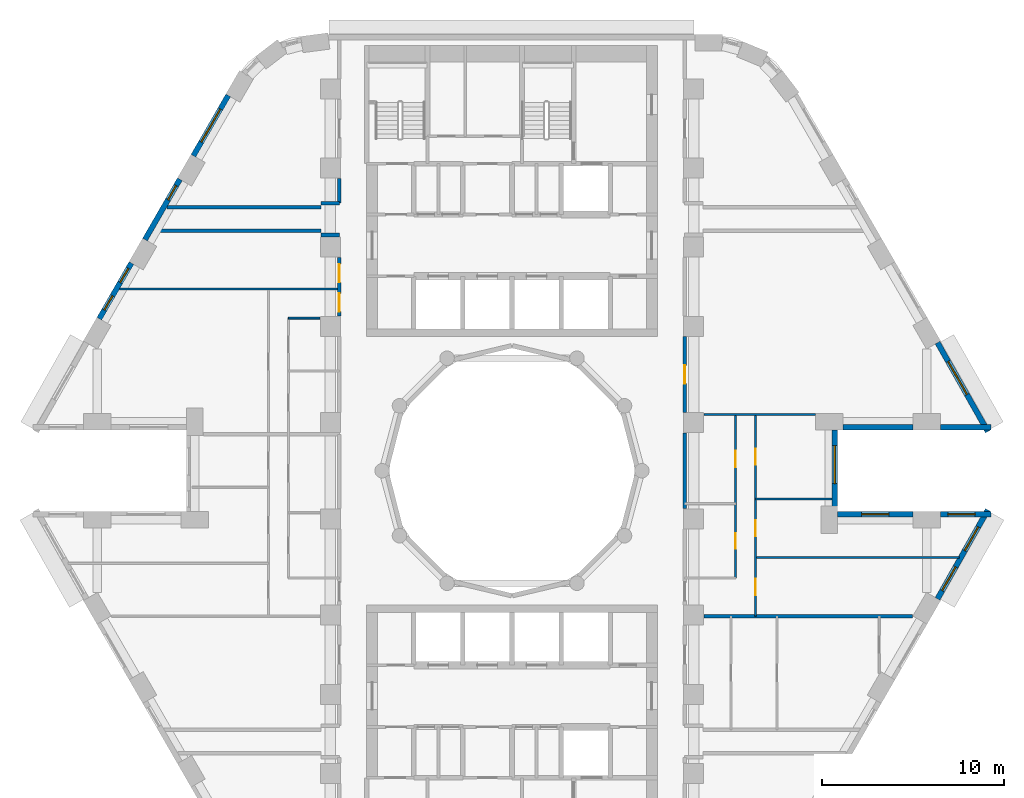
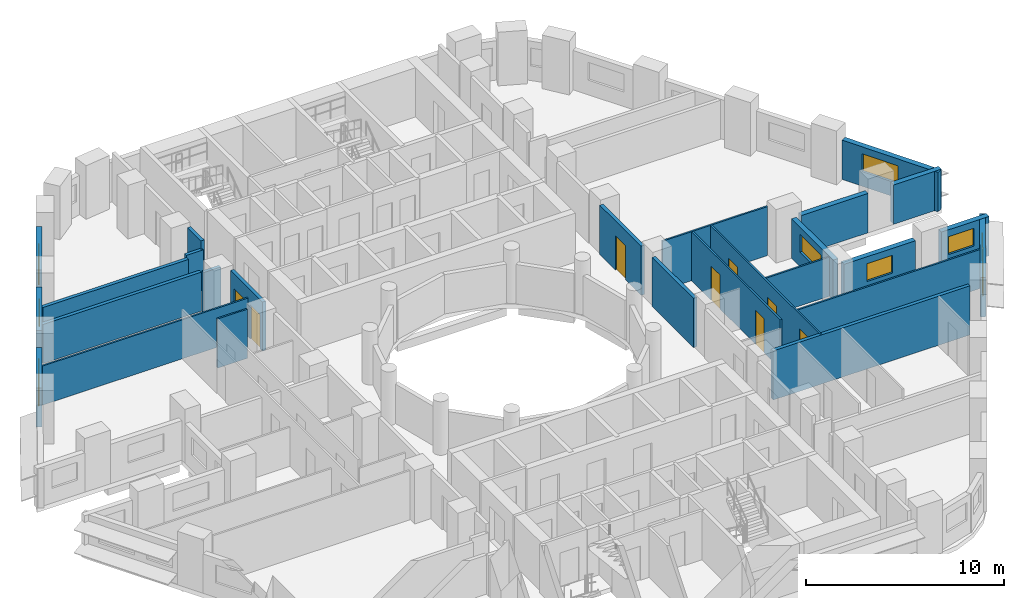
# One storey, part 6 of 12: 26 walls, 10 windows, 8 doors, 18 openings.
"""IFC4 building model written with IfcOpenShell, lengths in metres."""

from ifc_helpers import new_model, si_unit, direction, frame, frame_2d, origin, place, context, subcontext, project, spatial, rectangle, extrude, material, layer, layer_set, type_object, element, fill, save


model = new_model("IFC4")

# Units and contexts
model_context = context("Model", 3, precision=1e-05, world=origin(), true_north=direction((0.0, 1.0)))
body_context = subcontext(model_context, "Body", "Model", "MODEL_VIEW")
ifc_project = project(units=[si_unit("LENGTHUNIT", "METRE"), si_unit("AREAUNIT", "SQUARE_METRE"), si_unit("VOLUMEUNIT", "CUBIC_METRE"), si_unit("PLANEANGLEUNIT", "RADIAN"), si_unit("MASSUNIT", "GRAM", prefix="KILO")], contexts=[model_context])

# Site, building, storey
site_placement = place(None, origin())
site = spatial("IfcSite", under=ifc_project, at=site_placement, CompositionType="ELEMENT")
building_placement = place(site_placement, origin())
building = spatial("IfcBuilding", under=site, at=building_placement, Name="Nakaniwa Court", CompositionType="ELEMENT")
storey_placement = place(building_placement, frame((0.0, 0.0, 51.300048828125)))
storey = spatial("IfcBuildingStorey", under=building, at=storey_placement, Name="L13", CompositionType="ELEMENT", Elevation=51.300048828125)

# Wall
ifc_material_1 = material(Name="Acoustic double stud partition")
ifc_layer_1 = layer(ifc_material_1, 0.199951171875)
ifc_layer_set_1 = layer_set([ifc_layer_1], Name="Acoustic double stud partition")
wall_type_1 = type_object("IfcWallType", Name="Acoustic double stud partition 200", PredefinedType="PARTITIONING", material=ifc_layer_set_1)
wall_1_placement = place(storey_placement, frame((89.5, 77.9169921875, 0.0), z_axis=(0.0, 0.0, 1.0), x_axis=(0.0, 1.0, 0.0)))
element("IfcWall", 1, at=wall_1_placement, inside=storey, type_object=wall_type_1, Name="Partition PW-077", PredefinedType="PARTITIONING", context=body_context, shape_type="SweptSolid", body=[
    extrude(rectangle(XDim=4.166015625, YDim=0.199951171875, at=frame_2d((2.0830078125, 0.0))), origin(), (0.0, 0.0, 1.0), 3.02490234375),
])

# Wall, opening, door
wall_2_placement = place(storey_placement, frame((89.5, 87.383056640625, 0.0), z_axis=(0.0, 0.0, 1.0), x_axis=(0.0, -1.0, 0.0)))
wall_2 = element("IfcWall", 2, at=wall_2_placement, inside=storey, type_object=wall_type_1, Name="Partition PW-078", PredefinedType="PARTITIONING", context=body_context, shape_type="SweptSolid", body=[
    extrude(rectangle(XDim=4.166015625, YDim=0.199951171875, at=frame_2d((2.0830078125, 0.0))), origin(), (0.0, 0.0, 1.0), 3.02490234375),
])
opening_1_placement = place(wall_2_placement, frame((1.5830078125, 0.0, 0.0)))
opening_1 = element("IfcOpeningElement", 3, at=opening_1_placement, cuts=wall_2, Name="Opening D-02-01", PredefinedType="OPENING", context=body_context, shape_type="SweptSolid", body=[
    extrude(rectangle(XDim=1.0, YDim=2.10009765625, at=frame_2d((0.5, 1.050048828125))), frame((0.0, 0.10986328125, 0.0), z_axis=(0.0, -1.0, 0.0), x_axis=(1.0, 0.0, 0.0)), (0.0, 0.0, 1.0), 0.219970703125),
])
ifc_material_2 = material(Name="Solid core timber door set, black veneer", Category="wood")
door_type_1 = type_object("IfcDoorType", Name="Internal door 1000", OperationType="NOTDEFINED", PredefinedType="DOOR", material=ifc_material_2)
door_1_placement = place(opening_1_placement, origin())
door_1 = element("IfcDoor", 4, at=door_1_placement, inside=storey, type_object=door_type_1, Name="Door D-02-01 L13-039", OperationType="SINGLE_SWING_RIGHT", OverallHeight=2.10009765625, OverallWidth=1.0, PredefinedType="DOOR", context=body_context, shape_type="SweptSolid", body=[
    extrude(rectangle(XDim=1.0, YDim=2.10009765625, at=frame_2d((0.5, 1.050048828125))), frame((0.0, 0.02490234375, 0.0), z_axis=(0.0, -1.0, 0.0), x_axis=(1.0, 0.0, 0.0)), (0.0, 0.0, 1.0), 0.050048828125),
])
fill(opening_1, door_1)

# Walls
wall_3_placement = place(storey_placement, frame((60.254638671875, 93.199951171875, 0.0), z_axis=(0.0, 0.0, 1.0), x_axis=(1.0, 0.0, 0.0)))
element("IfcWall", 5, at=wall_3_placement, inside=storey, type_object=wall_type_1, Name="Partition PW-083", PredefinedType="PARTITIONING", context=body_context, shape_type="SweptSolid", body=[
    extrude(rectangle(XDim=9.245361328125, YDim=0.199951171875, at=frame_2d((4.62255859375, 0.0))), origin(), (0.0, 0.0, 1.0), 2.405029296875),
])
for number, where, z_axis, x_axis, name in (
    (6, (69.5, 92.97509765625, 0.0), (0.0, 0.0, 1.0), (1.0, 0.0, 0.0), "Partition PW-085"),
    (7, (69.5, 94.72509765625, 0.0), (0.0, 0.0, 1.0), (1.0, 0.0, 0.0), "Partition PW-087"),
):
    element("IfcWall", number, at=place(storey_placement, frame(where, z_axis=z_axis, x_axis=x_axis)), inside=storey, type_object=wall_type_1, Name=name, PredefinedType="PARTITIONING", context=body_context, shape_type="SweptSolid", body=[
        extrude(rectangle(XDim=1.0, YDim=0.199951171875, at=frame_2d((0.5, 0.0))), origin(), (0.0, 0.0, 1.0), 2.5048828125),
    ])
wall_4_placement = place(storey_placement, frame((61.005126953125, 94.5, 0.0), z_axis=(0.0, 0.0, 1.0), x_axis=(1.0, 0.0, 0.0)))
element("IfcWall", 8, at=wall_4_placement, inside=storey, type_object=wall_type_1, Name="Partition PW-089", PredefinedType="PARTITIONING", context=body_context, shape_type="SweptSolid", body=[
    extrude(rectangle(XDim=8.494873046875, YDim=0.199951171875, at=frame_2d((4.24755859375, 0.0))), origin(), (0.0, 0.0, 1.0), 2.405029296875),
])

# Wall, openings, doors
wall_5_placement = place(storey_placement, frame((70.5, 88.51708984375, 0.0), z_axis=(0.0, 0.0, 1.0), x_axis=(0.0, 1.0, 0.0)))
wall_5 = element("IfcWall", 9, at=wall_5_placement, inside=storey, type_object=wall_type_1, Name="Partition PW-107", PredefinedType="PARTITIONING", context=body_context, shape_type="SweptSolid", body=[
    extrude(rectangle(XDim=3.2158203125, YDim=0.199951171875, at=frame_2d((1.60791015625, 0.0))), origin(), (0.0, 0.0, 1.0), 3.02490234375),
])
opening_2_placement = place(wall_5_placement, frame((0.242919921875, 0.0, 0.0)))
opening_2 = element("IfcOpeningElement", 10, at=opening_2_placement, cuts=wall_5, Name="Opening D-01-04", PredefinedType="OPENING", context=body_context, shape_type="SweptSolid", body=[
    extrude(rectangle(XDim=1.0, YDim=2.10009765625, at=frame_2d((0.5, 1.050048828125))), frame((0.0, 0.10986328125, 0.0), z_axis=(0.0, -1.0, 0.0), x_axis=(1.0, 0.0, 0.0)), (0.0, 0.0, 1.0), 0.219970703125),
])
opening_3_placement = place(wall_5_placement, frame((1.847900390625, 0.0, 0.0)))
opening_3 = element("IfcOpeningElement", 11, at=opening_3_placement, cuts=wall_5, Name="Opening D-02-07", PredefinedType="OPENING", context=body_context, shape_type="SweptSolid", body=[
    extrude(rectangle(XDim=1.0, YDim=2.10009765625, at=frame_2d((0.5, 1.050048828125))), frame((0.0, 0.10986328125, 0.0), z_axis=(0.0, -1.0, 0.0), x_axis=(1.0, 0.0, 0.0)), (0.0, 0.0, 1.0), 0.219970703125),
])
door_type_2 = type_object("IfcDoorType", Name="Flat entrance door 1000", OperationType="NOTDEFINED", PredefinedType="DOOR", material=ifc_material_2)
door_2_placement = place(opening_2_placement, origin())
door_2 = element("IfcDoor", 12, at=door_2_placement, inside=storey, type_object=door_type_2, Name="Door D-01-04 L13-048", OperationType="SINGLE_SWING_LEFT", OverallHeight=2.10009765625, OverallWidth=1.0, PredefinedType="DOOR", context=body_context, shape_type="SweptSolid", body=[
    extrude(rectangle(XDim=1.0, YDim=2.10009765625, at=frame_2d((0.5, 1.050048828125))), frame((0.0, 0.02490234375, 0.0), z_axis=(0.0, -1.0, 0.0), x_axis=(1.0, 0.0, 0.0)), (0.0, 0.0, 1.0), 0.050048828125),
])
fill(opening_2, door_2)
door_3_placement = place(opening_3_placement, origin())
door_3 = element("IfcDoor", 13, at=door_3_placement, inside=storey, type_object=door_type_1, Name="Door D-02-07 L13-055", OperationType="SINGLE_SWING_RIGHT", OverallHeight=2.10009765625, OverallWidth=1.0, PredefinedType="DOOR", context=body_context, shape_type="SweptSolid", body=[
    extrude(rectangle(XDim=1.0, YDim=2.10009765625, at=frame_2d((0.5, 1.050048828125))), frame((0.0, 0.02490234375, 0.0), z_axis=(0.0, -1.0, 0.0), x_axis=(1.0, 0.0, 0.0)), (0.0, 0.0, 1.0), 0.050048828125),
])
fill(opening_3, door_3)

# Walls
wall_6_placement = place(storey_placement, frame((70.5, 94.721923828125, 0.0), z_axis=(0.0, 0.0, 1.0), x_axis=(0.0, 1.0, 0.0)))
element("IfcWall", 14, at=wall_6_placement, inside=storey, type_object=wall_type_1, Name="Partition PW-108", PredefinedType="PARTITIONING", context=body_context, shape_type="SweptSolid", body=[
    extrude(rectangle(XDim=1.361083984375, YDim=0.199951171875, at=frame_2d((0.6806640625, 0.0))), origin(), (0.0, 0.0, 1.0), 3.02490234375),
])
wall_7_placement = place(storey_placement, frame((90.570068359375, 72.0, 0.0), z_axis=(0.0, 0.0, 1.0), x_axis=(1.0, 0.0, 0.0)))
element("IfcWall", 15, at=wall_7_placement, inside=storey, type_object=wall_type_1, Name="Partition PW-112", PredefinedType="PARTITIONING", context=body_context, shape_type="SweptSolid", body=[
    extrude(rectangle(XDim=11.461669921875, YDim=0.199951171875, at=frame_2d((5.73095703125, 0.0))), origin(), (0.0, 0.0, 1.0), 3.02490234375),
])
ifc_material_3 = material(Name="Charcoal ceramic cladding")
ifc_layer_2 = layer(ifc_material_3, 0.02, Name="Ceramic cladding")
ifc_material_4 = material(Name="Ventilated air cavity")
ifc_layer_3 = layer(ifc_material_4, 0.04, ventilated=True, Name="Ventilated cavity")
ifc_material_5 = material(Name="Mineral wool insulation")
ifc_layer_4 = layer(ifc_material_5, 0.1, Name="Insulation")
ifc_material_6 = material(Name="Cement bonded sheathing board")
ifc_layer_5 = layer(ifc_material_6, 0.012, Name="Sheathing")
ifc_material_7 = material(Name="Cold-formed galvanised stud frame with mineral wool infill")
ifc_layer_6 = layer(ifc_material_7, 0.1, Name="Stud frame")
ifc_material_8 = material(Name="Fire-rated gypsum plasterboard lining")
ifc_layer_7 = layer(ifc_material_8, 0.028, Name="Lining")
ifc_layer_set_2 = layer_set([ifc_layer_2, ifc_layer_3, ifc_layer_4, ifc_layer_5, ifc_layer_6, ifc_layer_7], Name="Charcoal ceramic faced external wall system")
wall_type_2 = type_object("IfcWallType", Name="Black ceramic faced external wall 300", PredefinedType="SOLIDWALL", material=ifc_layer_set_2)
wall_8_placement = place(storey_placement, frame((98.204345703125, 82.39990234375, 0.0), z_axis=(0.0, 0.0, 1.0), x_axis=(1.0, 0.0, 0.0)))
element("IfcWall", 16, at=wall_8_placement, inside=storey, type_object=wall_type_2, Name="L13 external wall 00", PredefinedType="SOLIDWALL", context=body_context, shape_type="SweptSolid", body=[
    extrude(rectangle(XDim=3.87255859375, YDim=0.300048828125, at=frame_2d((1.936279296875, 0.0))), origin(), (0.0, 0.0, 1.0), 2.425048828125),
])
wall_9_placement = place(storey_placement, frame((103.56884765625, 82.39990234375, 0.0), z_axis=(0.0, 0.0, 1.0), x_axis=(1.0, 0.0, 0.0)))
element("IfcWall", 17, at=wall_9_placement, inside=storey, type_object=wall_type_2, Name="L13 external wall 01", PredefinedType="SOLIDWALL", context=body_context, shape_type="SweptSolid", body=[
    extrude(rectangle(XDim=2.787841796875, YDim=0.300048828125, at=frame_2d((1.39404296875, 0.0))), origin(), (0.0, 0.0, 1.0), 2.425048828125),
])

# Wall, opening, window
wall_10_placement = place(storey_placement, frame((106.18603515625, 82.1533203125, 0.0), z_axis=(0.0, 0.0, 1.0), x_axis=(-0.492363204642, 0.870389840655, 0.0)))
wall_10 = element("IfcWall", 18, at=wall_10_placement, inside=storey, type_object=wall_type_2, Name="L13 external wall 02", PredefinedType="SOLIDWALL", context=body_context, shape_type="SweptSolid", body=[
    extrude(rectangle(XDim=5.62646484375, YDim=0.300048828125, at=frame_2d((2.813232421875, 0.0))), origin(), (0.0, 0.0, 1.0), 2.425048828125),
])
opening_4_placement = place(wall_10_placement, frame((2.34228515625, 0.0, 0.89990234375)))
opening_4 = element("IfcOpeningElement", 19, at=opening_4_placement, cuts=wall_10, Name="Opening W7.01", PredefinedType="OPENING", context=body_context, shape_type="SweptSolid", body=[
    extrude(rectangle(XDim=2.10009765625, YDim=1.10009765625, at=frame_2d((1.050048828125, 0.550048828125))), frame((0.0, 0.159912109375, 0.0), z_axis=(0.0, -1.0, 0.0), x_axis=(1.0, 0.0, 0.0)), (0.0, 0.0, 1.0), 0.320068359375),
])
ifc_material_9 = material(Name="Black anodised aluminium frame with dark low-E laminated double glazing", Category="aluminium")
window_type_1 = type_object("IfcWindowType", Name="Dark glass window 2100x1100 sill 900", PartitioningType="SINGLE_PANEL", PredefinedType="WINDOW", material=ifc_material_9)
window_1_placement = place(opening_4_placement, origin())
window_1 = element("IfcWindow", 20, at=window_1_placement, inside=storey, type_object=window_type_1, Name="L13 habitable room window 02-0", OverallHeight=1.10009765625, OverallWidth=2.10009765625, PartitioningType="SINGLE_PANEL", PredefinedType="WINDOW", context=body_context, shape_type="SweptSolid", body=[
    extrude(rectangle(XDim=2.10009765625, YDim=1.10009765625, at=frame_2d((1.050048828125, 0.550048828125))), frame((0.0, 0.030029296875, 0.0), z_axis=(0.0, -1.0, 0.0), x_axis=(1.0, 0.0, 0.0)), (0.0, 0.0, 1.0), 0.06005859375),
])
fill(opening_4, window_1)

wall_11_placement = place(storey_placement, frame((64.384765625, 100.653564453125, 0.0), z_axis=(0.0, 0.0, 1.0), x_axis=(-0.499974163209, -0.866040320149, 0.0)))
wall_11 = element("IfcWall", 21, at=wall_11_placement, inside=storey, type_object=wall_type_2, Name="L13 external wall 11", PredefinedType="SOLIDWALL", context=body_context, shape_type="SweptSolid", body=[
    extrude(rectangle(XDim=3.834228515625, YDim=0.300048828125, at=frame_2d((1.9169921875, 0.0))), origin(), (0.0, 0.0, 1.0), 2.425048828125),
])
opening_5_placement = place(wall_11_placement, frame((0.8671875, 0.0, 0.89990234375)))
opening_5 = element("IfcOpeningElement", 22, at=opening_5_placement, cuts=wall_11, Name="Opening W7.09", PredefinedType="OPENING", context=body_context, shape_type="SweptSolid", body=[
    extrude(rectangle(XDim=2.10009765625, YDim=1.10009765625, at=frame_2d((1.050048828125, 0.550048828125))), frame((0.0, 0.159912109375, 0.0), z_axis=(0.0, -1.0, 0.0), x_axis=(1.0, 0.0, 0.0)), (0.0, 0.0, 1.0), 0.320068359375),
])
window_2_placement = place(opening_5_placement, origin())
window_2 = element("IfcWindow", 23, at=window_2_placement, inside=storey, type_object=window_type_1, Name="L13 habitable room window 11-0", OverallHeight=1.10009765625, OverallWidth=2.10009765625, PartitioningType="SINGLE_PANEL", PredefinedType="WINDOW", context=body_context, shape_type="SweptSolid", body=[
    extrude(rectangle(XDim=2.10009765625, YDim=1.10009765625, at=frame_2d((1.050048828125, 0.550048828125))), frame((0.0, 0.030029296875, 0.0), z_axis=(0.0, -1.0, 0.0), x_axis=(1.0, 0.0, 0.0)), (0.0, 0.0, 1.0), 0.06005859375),
])
fill(opening_5, window_2)

wall_12_placement = place(storey_placement, frame((61.7216796875, 96.041015625, 0.0), z_axis=(0.0, 0.0, 1.0), x_axis=(-0.500001735503, -0.866024401789, 0.0)))
wall_12 = element("IfcWall", 24, at=wall_12_placement, inside=storey, type_object=wall_type_2, Name="L13 external wall 12", PredefinedType="SOLIDWALL", context=body_context, shape_type="SweptSolid", body=[
    extrude(rectangle(XDim=3.833984375, YDim=0.300048828125, at=frame_2d((1.9169921875, 0.0))), origin(), (0.0, 0.0, 1.0), 2.425048828125),
])
opening_6_placement = place(wall_12_placement, frame((0.402587890625, 0.0, 0.89990234375)))
opening_6 = element("IfcOpeningElement", 25, at=opening_6_placement, cuts=wall_12, Name="Opening W9.10", PredefinedType="OPENING", context=body_context, shape_type="SweptSolid", body=[
    extrude(rectangle(XDim=0.89990234375, YDim=1.10009765625, at=frame_2d((0.449951171875, 0.550048828125))), frame((0.0, 0.159912109375, 0.0), z_axis=(0.0, -1.0, 0.0), x_axis=(1.0, 0.0, 0.0)), (0.0, 0.0, 1.0), 0.320068359375),
])
window_type_2 = type_object("IfcWindowType", Name="Dark glass window 900x1100 sill 900", PartitioningType="SINGLE_PANEL", PredefinedType="WINDOW", material=ifc_material_9)
window_3_placement = place(opening_6_placement, origin())
window_3 = element("IfcWindow", 26, at=window_3_placement, inside=storey, type_object=window_type_2, Name="L13 habitable room window 12-0", OverallHeight=1.10009765625, OverallWidth=0.89990234375, PartitioningType="SINGLE_PANEL", PredefinedType="WINDOW", context=body_context, shape_type="SweptSolid", body=[
    extrude(rectangle(XDim=0.89990234375, YDim=1.10009765625, at=frame_2d((0.449951171875, 0.550048828125))), frame((0.0, 0.030029296875, 0.0), z_axis=(0.0, -1.0, 0.0), x_axis=(1.0, 0.0, 0.0)), (0.0, 0.0, 1.0), 0.06005859375),
])
fill(opening_6, window_3)

# Wall, openings, windows
wall_13_placement = place(storey_placement, frame((59.05859375, 91.4287109375, 0.0), z_axis=(0.0, 0.0, 1.0), x_axis=(-0.499977402622, -0.866038449993, 0.0)))
wall_13 = element("IfcWall", 27, at=wall_13_placement, inside=storey, type_object=wall_type_2, Name="L13 external wall 13", PredefinedType="SOLIDWALL", context=body_context, shape_type="SweptSolid", body=[
    extrude(rectangle(XDim=3.536865234375, YDim=0.300048828125, at=frame_2d((1.7685546875, 0.0))), origin(), (0.0, 0.0, 1.0), 2.425048828125),
])
opening_7_placement = place(wall_13_placement, frame((0.337890625, 0.0, 0.89990234375)))
opening_7 = element("IfcOpeningElement", 28, at=opening_7_placement, cuts=wall_13, Name="Opening W9.11", PredefinedType="OPENING", context=body_context, shape_type="SweptSolid", body=[
    extrude(rectangle(XDim=0.89990234375, YDim=1.10009765625, at=frame_2d((0.449951171875, 0.550048828125))), frame((0.0, 0.159912109375, 0.0), z_axis=(0.0, -1.0, 0.0), x_axis=(1.0, 0.0, 0.0)), (0.0, 0.0, 1.0), 0.320068359375),
])
opening_8_placement = place(wall_13_placement, frame((2.082275390625, 0.0, 0.89990234375)))
opening_8 = element("IfcOpeningElement", 29, at=opening_8_placement, cuts=wall_13, Name="Opening W9.12", PredefinedType="OPENING", context=body_context, shape_type="SweptSolid", body=[
    extrude(rectangle(XDim=0.89990234375, YDim=1.10009765625, at=frame_2d((0.449951171875, 0.550048828125))), frame((0.0, 0.159912109375, 0.0), z_axis=(0.0, -1.0, 0.0), x_axis=(1.0, 0.0, 0.0)), (0.0, 0.0, 1.0), 0.320068359375),
])
window_4_placement = place(opening_7_placement, origin())
window_4 = element("IfcWindow", 30, at=window_4_placement, inside=storey, type_object=window_type_2, Name="L13 habitable room window 13-0", OverallHeight=1.10009765625, OverallWidth=0.89990234375, PartitioningType="SINGLE_PANEL", PredefinedType="WINDOW", context=body_context, shape_type="SweptSolid", body=[
    extrude(rectangle(XDim=0.89990234375, YDim=1.10009765625, at=frame_2d((0.449951171875, 0.550048828125))), frame((0.0, 0.030029296875, 0.0), z_axis=(0.0, -1.0, 0.0), x_axis=(1.0, 0.0, 0.0)), (0.0, 0.0, 1.0), 0.06005859375),
])
fill(opening_7, window_4)
window_5_placement = place(opening_8_placement, origin())
window_5 = element("IfcWindow", 31, at=window_5_placement, inside=storey, type_object=window_type_2, Name="L13 living window 13-1", OverallHeight=1.10009765625, OverallWidth=0.89990234375, PartitioningType="SINGLE_PANEL", PredefinedType="WINDOW", context=body_context, shape_type="SweptSolid", body=[
    extrude(rectangle(XDim=0.89990234375, YDim=1.10009765625, at=frame_2d((0.449951171875, 0.550048828125))), frame((0.0, 0.030029296875, 0.0), z_axis=(0.0, -1.0, 0.0), x_axis=(1.0, 0.0, 0.0)), (0.0, 0.0, 1.0), 0.06005859375),
])
fill(opening_8, window_5)

wall_14_placement = place(storey_placement, frame((103.415771484375, 72.949462890625, 0.0), z_axis=(0.0, 0.0, 1.0), x_axis=(0.492363204642, 0.870389840655, 0.0)))
wall_14 = element("IfcWall", 32, at=wall_14_placement, inside=storey, type_object=wall_type_2, Name="L13 external wall 32", PredefinedType="SOLIDWALL", context=body_context, shape_type="SweptSolid", body=[
    extrude(rectangle(XDim=5.62646484375, YDim=0.300048828125, at=frame_2d((2.813232421875, 0.0))), origin(), (0.0, 0.0, 1.0), 2.425048828125),
])
opening_9_placement = place(wall_14_placement, frame((0.5205078125, 0.0, 0.89990234375)))
opening_9 = element("IfcOpeningElement", 33, at=opening_9_placement, cuts=wall_14, Name="Opening W5.32", PredefinedType="OPENING", context=body_context, shape_type="SweptSolid", body=[
    extrude(rectangle(XDim=1.5, YDim=1.10009765625, at=frame_2d((0.75, 0.550048828125))), frame((0.0, 0.159912109375, 0.0), z_axis=(0.0, -1.0, 0.0), x_axis=(1.0, 0.0, 0.0)), (0.0, 0.0, 1.0), 0.320068359375),
])
opening_10_placement = place(wall_14_placement, frame((3.044921875, 0.0, 0.89990234375)))
opening_10 = element("IfcOpeningElement", 34, at=opening_10_placement, cuts=wall_14, Name="Opening W5.33", PredefinedType="OPENING", context=body_context, shape_type="SweptSolid", body=[
    extrude(rectangle(XDim=1.5, YDim=1.10009765625, at=frame_2d((0.75, 0.550048828125))), frame((0.0, 0.159912109375, 0.0), z_axis=(0.0, -1.0, 0.0), x_axis=(1.0, 0.0, 0.0)), (0.0, 0.0, 1.0), 0.320068359375),
])
window_type_3 = type_object("IfcWindowType", Name="Dark glass window 1500x1100 sill 900", PartitioningType="SINGLE_PANEL", PredefinedType="WINDOW", material=ifc_material_9)
window_6_placement = place(opening_9_placement, origin())
window_6 = element("IfcWindow", 35, at=window_6_placement, inside=storey, type_object=window_type_3, Name="L13 bedroom window 32-0", OverallHeight=1.10009765625, OverallWidth=1.5, PartitioningType="SINGLE_PANEL", PredefinedType="WINDOW", context=body_context, shape_type="SweptSolid", body=[
    extrude(rectangle(XDim=1.5, YDim=1.10009765625, at=frame_2d((0.75, 0.550048828125))), frame((0.0, 0.030029296875, 0.0), z_axis=(0.0, -1.0, 0.0), x_axis=(1.0, 0.0, 0.0)), (0.0, 0.0, 1.0), 0.06005859375),
])
fill(opening_9, window_6)
window_7_placement = place(opening_10_placement, origin())
window_7 = element("IfcWindow", 36, at=window_7_placement, inside=storey, type_object=window_type_3, Name="L13 bedroom window 32-1", OverallHeight=1.10009765625, OverallWidth=1.5, PartitioningType="SINGLE_PANEL", PredefinedType="WINDOW", context=body_context, shape_type="SweptSolid", body=[
    extrude(rectangle(XDim=1.5, YDim=1.10009765625, at=frame_2d((0.75, 0.550048828125))), frame((0.0, 0.030029296875, 0.0), z_axis=(0.0, -1.0, 0.0), x_axis=(1.0, 0.0, 0.0)), (0.0, 0.0, 1.0), 0.06005859375),
])
fill(opening_10, window_7)

# Wall, opening, window
wall_15_placement = place(storey_placement, frame((106.356689453125, 77.60009765625, 0.0), z_axis=(0.0, 0.0, 1.0), x_axis=(-1.0, 0.0, 0.0)))
wall_15 = element("IfcWall", 37, at=wall_15_placement, inside=storey, type_object=wall_type_2, Name="L13 external wall 33", PredefinedType="SOLIDWALL", context=body_context, shape_type="SweptSolid", body=[
    extrude(rectangle(XDim=2.787841796875, YDim=0.300048828125, at=frame_2d((1.39404296875, 0.0))), origin(), (0.0, 0.0, 1.0), 2.425048828125),
])
opening_11_placement = place(wall_15_placement, frame((0.868896484375, 0.0, 0.89990234375)))
opening_11 = element("IfcOpeningElement", 38, at=opening_11_placement, cuts=wall_15, Name="Opening W5.34", PredefinedType="OPENING", context=body_context, shape_type="SweptSolid", body=[
    extrude(rectangle(XDim=1.5, YDim=1.10009765625, at=frame_2d((0.75, 0.550048828125))), frame((0.0, 0.159912109375, 0.0), z_axis=(0.0, -1.0, 0.0), x_axis=(1.0, 0.0, 0.0)), (0.0, 0.0, 1.0), 0.320068359375),
])
window_8_placement = place(opening_11_placement, origin())
window_8 = element("IfcWindow", 39, at=window_8_placement, inside=storey, type_object=window_type_3, Name="L13 bedroom window 33-0", OverallHeight=1.10009765625, OverallWidth=1.5, PartitioningType="SINGLE_PANEL", PredefinedType="WINDOW", context=body_context, shape_type="SweptSolid", body=[
    extrude(rectangle(XDim=1.5, YDim=1.10009765625, at=frame_2d((0.75, 0.550048828125))), frame((0.0, 0.030029296875, 0.0), z_axis=(0.0, -1.0, 0.0), x_axis=(1.0, 0.0, 0.0)), (0.0, 0.0, 1.0), 0.06005859375),
])
fill(opening_11, window_8)

wall_16_placement = place(storey_placement, frame((102.076904296875, 77.60009765625, 0.0), z_axis=(0.0, 0.0, 1.0), x_axis=(-1.0, 0.0, 0.0)))
wall_16 = element("IfcWall", 40, at=wall_16_placement, inside=storey, type_object=wall_type_2, Name="L13 external wall 34", PredefinedType="SOLIDWALL", context=body_context, shape_type="SweptSolid", body=[
    extrude(rectangle(XDim=4.172607421875, YDim=0.300048828125, at=frame_2d((2.08642578125, 0.0))), origin(), (0.0, 0.0, 1.0), 2.425048828125),
])
opening_12_placement = place(wall_16_placement, frame((1.336181640625, 0.0, 0.89990234375)))
opening_12 = element("IfcOpeningElement", 41, at=opening_12_placement, cuts=wall_16, Name="Opening W5.35", PredefinedType="OPENING", context=body_context, shape_type="SweptSolid", body=[
    extrude(rectangle(XDim=1.5, YDim=1.10009765625, at=frame_2d((0.75, 0.550048828125))), frame((0.0, 0.159912109375, 0.0), z_axis=(0.0, -1.0, 0.0), x_axis=(1.0, 0.0, 0.0)), (0.0, 0.0, 1.0), 0.320068359375),
])
window_9_placement = place(opening_12_placement, origin())
window_9 = element("IfcWindow", 42, at=window_9_placement, inside=storey, type_object=window_type_3, Name="L13 bedroom window 34-0", OverallHeight=1.10009765625, OverallWidth=1.5, PartitioningType="SINGLE_PANEL", PredefinedType="WINDOW", context=body_context, shape_type="SweptSolid", body=[
    extrude(rectangle(XDim=1.5, YDim=1.10009765625, at=frame_2d((0.75, 0.550048828125))), frame((0.0, 0.030029296875, 0.0), z_axis=(0.0, -1.0, 0.0), x_axis=(1.0, 0.0, 0.0)), (0.0, 0.0, 1.0), 0.06005859375),
])
fill(opening_12, window_9)

wall_17_placement = place(storey_placement, frame((97.75830078125, 78.0458984375, 0.0), z_axis=(0.0, 0.0, 1.0), x_axis=(0.0, 1.0, 0.0)))
wall_17 = element("IfcWall", 43, at=wall_17_placement, inside=storey, type_object=wall_type_2, Name="L13 external wall 35", PredefinedType="SOLIDWALL", context=body_context, shape_type="SweptSolid", body=[
    extrude(rectangle(XDim=4.2080078125, YDim=0.300048828125, at=frame_2d((2.10400390625, 0.0))), origin(), (0.0, 0.0, 1.0), 2.425048828125),
])
opening_13_placement = place(wall_17_placement, frame((1.24169921875, 0.0, 0.89990234375)))
opening_13 = element("IfcOpeningElement", 44, at=opening_13_placement, cuts=wall_17, Name="Opening W7.36", PredefinedType="OPENING", context=body_context, shape_type="SweptSolid", body=[
    extrude(rectangle(XDim=2.10009765625, YDim=1.10009765625, at=frame_2d((1.050048828125, 0.550048828125))), frame((0.0, 0.159912109375, 0.0), z_axis=(0.0, -1.0, 0.0), x_axis=(1.0, 0.0, 0.0)), (0.0, 0.0, 1.0), 0.320068359375),
])
window_10_placement = place(opening_13_placement, origin())
window_10 = element("IfcWindow", 45, at=window_10_placement, inside=storey, type_object=window_type_1, Name="L13 living window 35-1", OverallHeight=1.10009765625, OverallWidth=2.10009765625, PartitioningType="SINGLE_PANEL", PredefinedType="WINDOW", context=body_context, shape_type="SweptSolid", body=[
    extrude(rectangle(XDim=2.10009765625, YDim=1.10009765625, at=frame_2d((1.050048828125, 0.550048828125))), frame((0.0, 0.030029296875, 0.0), z_axis=(0.0, -1.0, 0.0), x_axis=(1.0, 0.0, 0.0)), (0.0, 0.0, 1.0), 0.06005859375),
])
fill(opening_13, window_10)

# Wall, openings, doors
ifc_material_10 = material(Name="Single stud plasterboard partition")
ifc_layer_8 = layer(ifc_material_10, 0.10009765625)
ifc_layer_set_3 = layer_set([ifc_layer_8], Name="Single stud plasterboard partition")
wall_type_3 = type_object("IfcWallType", Name="Single stud plasterboard partition 100", PredefinedType="PARTITIONING", material=ifc_layer_set_3)
wall_18_placement = place(storey_placement, frame((92.300048828125, 74.10009765625, 0.0), z_axis=(0.0, 0.0, 1.0), x_axis=(0.0, 1.0, 0.0)))
wall_18 = element("IfcWall", 46, at=wall_18_placement, inside=storey, type_object=wall_type_3, Name="Partition PW-118", PredefinedType="PARTITIONING", context=body_context, shape_type="SweptSolid", body=[
    extrude(rectangle(XDim=9.0, YDim=0.10009765625, at=frame_2d((4.5, 0.0))), origin(), (0.0, 0.0, 1.0), 3.02490234375),
])
opening_14_placement = place(wall_18_placement, frame((1.6201171875, 0.0, 0.0)))
opening_14 = element("IfcOpeningElement", 47, at=opening_14_placement, cuts=wall_18, Name="Opening D-03-02", PredefinedType="OPENING", context=body_context, shape_type="SweptSolid", body=[
    extrude(rectangle(XDim=0.85009765625, YDim=2.10009765625, at=frame_2d((0.425048828125, 1.050048828125))), frame((0.0, 0.06005859375, 0.0), z_axis=(0.0, -1.0, 0.0), x_axis=(1.0, 0.0, 0.0)), (0.0, 0.0, 1.0), 0.1201171875),
])
opening_15_placement = place(wall_18_placement, frame((6.094970703125, 0.0, 0.0)))
opening_15 = element("IfcOpeningElement", 48, at=opening_15_placement, cuts=wall_18, Name="Opening D-33-03", PredefinedType="OPENING", context=body_context, shape_type="SweptSolid", body=[
    extrude(rectangle(XDim=0.89990234375, YDim=2.10009765625, at=frame_2d((0.449951171875, 1.050048828125))), frame((0.0, 0.06005859375, 0.0), z_axis=(0.0, -1.0, 0.0), x_axis=(1.0, 0.0, 0.0)), (0.0, 0.0, 1.0), 0.1201171875),
])
ifc_material_11 = material(Name="Moisture sealed timber door set", Category="wood")
door_type_3 = type_object("IfcDoorType", Name="Bathroom door 850", OperationType="NOTDEFINED", PredefinedType="DOOR", material=ifc_material_11)
door_4_placement = place(opening_14_placement, origin())
door_4 = element("IfcDoor", 49, at=door_4_placement, inside=storey, type_object=door_type_3, Name="Door D-03-02 L13-034", OperationType="SINGLE_SWING_LEFT", OverallHeight=2.10009765625, OverallWidth=0.85009765625, PredefinedType="DOOR", context=body_context, shape_type="SweptSolid", body=[
    extrude(rectangle(XDim=0.85009765625, YDim=2.10009765625, at=frame_2d((0.425048828125, 1.050048828125))), frame((0.0, 0.02490234375, 0.0), z_axis=(0.0, -1.0, 0.0), x_axis=(1.0, 0.0, 0.0)), (0.0, 0.0, 1.0), 0.050048828125),
])
fill(opening_14, door_4)
door_type_4 = type_object("IfcDoorType", Name="Internal door 900", OperationType="NOTDEFINED", PredefinedType="DOOR", material=ifc_material_2)
door_5_placement = place(opening_15_placement, origin())
door_5 = element("IfcDoor", 50, at=door_5_placement, inside=storey, type_object=door_type_4, Name="Door D-33-03 L13-035", OperationType="SINGLE_SWING_RIGHT", OverallHeight=2.10009765625, OverallWidth=0.89990234375, PredefinedType="DOOR", context=body_context, shape_type="SweptSolid", body=[
    extrude(rectangle(XDim=0.89990234375, YDim=2.10009765625, at=frame_2d((0.449951171875, 1.050048828125))), frame((0.0, 0.02490234375, 0.0), z_axis=(0.0, -1.0, 0.0), x_axis=(1.0, 0.0, 0.0)), (0.0, 0.0, 1.0), 0.050048828125),
])
fill(opening_15, door_5)

# Wall
wall_19_placement = place(storey_placement, frame((90.570068359375, 83.10009765625, 0.0), z_axis=(0.0, 0.0, 1.0), x_axis=(1.0, 0.0, 0.0)))
element("IfcWall", 51, at=wall_19_placement, inside=storey, type_object=wall_type_3, Name="Partition PW-119", PredefinedType="PARTITIONING", context=body_context, shape_type="SweptSolid", body=[
    extrude(rectangle(XDim=6.118408203125, YDim=0.10009765625, at=frame_2d((3.05908203125, 0.0))), origin(), (0.0, 0.0, 1.0), 3.02490234375),
])

# Wall, openings, doors
wall_20_placement = place(storey_placement, frame((93.39990234375, 83.10009765625, 0.0), z_axis=(0.0, 0.0, 1.0), x_axis=(0.0, -1.0, 0.0)))
wall_20 = element("IfcWall", 52, at=wall_20_placement, inside=storey, type_object=wall_type_3, Name="Partition PW-120", PredefinedType="PARTITIONING", context=body_context, shape_type="SweptSolid", body=[
    extrude(rectangle(XDim=11.10009765625, YDim=0.10009765625, at=frame_2d((5.550048828125, 0.0))), origin(), (0.0, 0.0, 1.0), 3.02490234375),
])
opening_16_placement = place(wall_20_placement, frame((9.0390625, 0.0, 0.0)))
opening_16 = element("IfcOpeningElement", 53, at=opening_16_placement, cuts=wall_20, Name="Opening D-33-04", PredefinedType="OPENING", context=body_context, shape_type="SweptSolid", body=[
    extrude(rectangle(XDim=0.89990234375, YDim=2.10009765625, at=frame_2d((0.449951171875, 1.050048828125))), frame((0.0, 0.06005859375, 0.0), z_axis=(0.0, -1.0, 0.0), x_axis=(1.0, 0.0, 0.0)), (0.0, 0.0, 1.0), 0.1201171875),
])
opening_17_placement = place(wall_20_placement, frame((5.81591796875, 0.0, 0.0)))
opening_17 = element("IfcOpeningElement", 54, at=opening_17_placement, cuts=wall_20, Name="Opening D-33-05", PredefinedType="OPENING", context=body_context, shape_type="SweptSolid", body=[
    extrude(rectangle(XDim=0.89990234375, YDim=2.10009765625, at=frame_2d((0.449951171875, 1.050048828125))), frame((0.0, 0.06005859375, 0.0), z_axis=(0.0, -1.0, 0.0), x_axis=(1.0, 0.0, 0.0)), (0.0, 0.0, 1.0), 0.1201171875),
])
opening_18_placement = place(wall_20_placement, frame((1.876953125, 0.0, 0.0)))
opening_18 = element("IfcOpeningElement", 55, at=opening_18_placement, cuts=wall_20, Name="Opening D-33-06", PredefinedType="OPENING", context=body_context, shape_type="SweptSolid", body=[
    extrude(rectangle(XDim=0.89990234375, YDim=2.10009765625, at=frame_2d((0.449951171875, 1.050048828125))), frame((0.0, 0.06005859375, 0.0), z_axis=(0.0, -1.0, 0.0), x_axis=(1.0, 0.0, 0.0)), (0.0, 0.0, 1.0), 0.1201171875),
])
door_6_placement = place(opening_16_placement, origin())
door_6 = element("IfcDoor", 56, at=door_6_placement, inside=storey, type_object=door_type_4, Name="Door D-33-04 L13-036", OperationType="SINGLE_SWING_LEFT", OverallHeight=2.10009765625, OverallWidth=0.89990234375, PredefinedType="DOOR", context=body_context, shape_type="SweptSolid", body=[
    extrude(rectangle(XDim=0.89990234375, YDim=2.10009765625, at=frame_2d((0.449951171875, 1.050048828125))), frame((0.0, 0.02490234375, 0.0), z_axis=(0.0, -1.0, 0.0), x_axis=(1.0, 0.0, 0.0)), (0.0, 0.0, 1.0), 0.050048828125),
])
fill(opening_16, door_6)
door_7_placement = place(opening_17_placement, origin())
door_7 = element("IfcDoor", 57, at=door_7_placement, inside=storey, type_object=door_type_4, Name="Door D-33-05 L13-037", OperationType="SINGLE_SWING_RIGHT", OverallHeight=2.10009765625, OverallWidth=0.89990234375, PredefinedType="DOOR", context=body_context, shape_type="SweptSolid", body=[
    extrude(rectangle(XDim=0.89990234375, YDim=2.10009765625, at=frame_2d((0.449951171875, 1.050048828125))), frame((0.0, 0.02490234375, 0.0), z_axis=(0.0, -1.0, 0.0), x_axis=(1.0, 0.0, 0.0)), (0.0, 0.0, 1.0), 0.050048828125),
])
fill(opening_17, door_7)
door_8_placement = place(opening_18_placement, origin())
door_8 = element("IfcDoor", 58, at=door_8_placement, inside=storey, type_object=door_type_4, Name="Door D-33-06 L13-038", OperationType="SINGLE_SWING_LEFT", OverallHeight=2.10009765625, OverallWidth=0.89990234375, PredefinedType="DOOR", context=body_context, shape_type="SweptSolid", body=[
    extrude(rectangle(XDim=0.89990234375, YDim=2.10009765625, at=frame_2d((0.449951171875, 1.050048828125))), frame((0.0, 0.02490234375, 0.0), z_axis=(0.0, -1.0, 0.0), x_axis=(1.0, 0.0, 0.0)), (0.0, 0.0, 1.0), 0.050048828125),
])
fill(opening_18, door_8)

# Walls
wall_21_placement = place(storey_placement, frame((93.39990234375, 75.222900390625, 0.0), z_axis=(0.0, 0.0, 1.0), x_axis=(1.0, 0.0, 0.0)))
element("IfcWall", 59, at=wall_21_placement, inside=storey, type_object=wall_type_3, Name="Partition PW-121", PredefinedType="PARTITIONING", context=body_context, shape_type="SweptSolid", body=[
    extrude(rectangle(XDim=11.208251953125, YDim=0.10009765625, at=frame_2d((5.60400390625, 0.0))), origin(), (0.0, 0.0, 1.0), 2.405029296875),
])
wall_22_placement = place(storey_placement, frame((93.39990234375, 78.445068359375, 0.0), z_axis=(0.0, 0.0, 1.0), x_axis=(1.0, 0.0, 0.0)))
element("IfcWall", 60, at=wall_22_placement, inside=storey, type_object=wall_type_3, Name="Partition PW-122", PredefinedType="PARTITIONING", context=body_context, shape_type="SweptSolid", body=[
    extrude(rectangle(XDim=4.20849609375, YDim=0.10009765625, at=frame_2d((2.104248046875, 0.0))), origin(), (0.0, 0.0, 1.0), 2.405029296875),
])
wall_23_placement = place(storey_placement, frame((67.699951171875, 88.39990234375, 0.0), z_axis=(0.0, 0.0, 1.0), x_axis=(1.0, 0.0, 0.0)))
element("IfcWall", 61, at=wall_23_placement, inside=storey, type_object=wall_type_3, Name="Partition PW-131", PredefinedType="PARTITIONING", context=body_context, shape_type="SweptSolid", body=[
    extrude(rectangle(XDim=1.72998046875, YDim=0.10009765625, at=frame_2d((0.864990234375, 0.0))), origin(), (0.0, 0.0, 1.0), 3.02490234375),
])
wall_24_placement = place(storey_placement, frame((58.406982421875, 90.0, 0.0), z_axis=(0.0, 0.0, 1.0), x_axis=(1.0, 0.0, 0.0)))
element("IfcWall", 62, at=wall_24_placement, inside=storey, type_object=wall_type_3, Name="Partition PW-132", PredefinedType="PARTITIONING", context=body_context, shape_type="SweptSolid", body=[
    extrude(rectangle(XDim=12.093017578125, YDim=0.10009765625, at=frame_2d((6.04638671875, 0.0))), origin(), (0.0, 0.0, 1.0), 2.405029296875),
])

save(model, "model.ifc")
